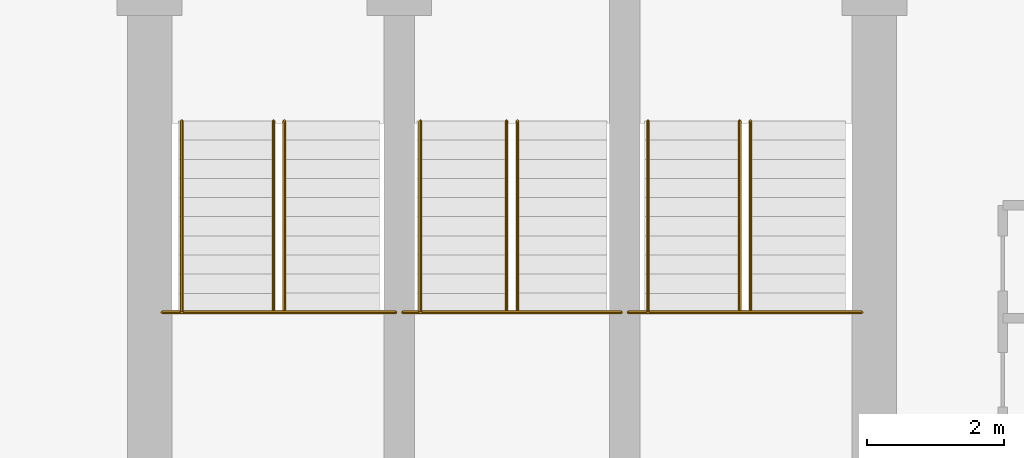
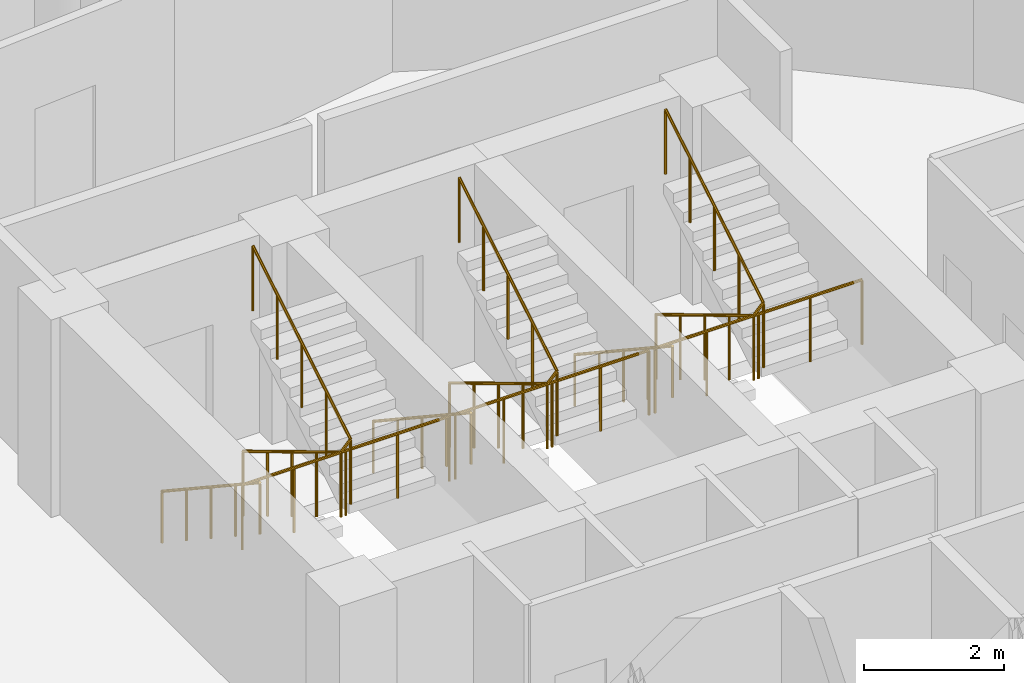
# One storey, part 26 of 26: 9 railings.
"""IFC4 building model written with IfcOpenShell, lengths in metres."""

from ifc_helpers import new_model, si_unit, direction, frame, origin, place, context, subcontext, project, spatial, polyline, outline, extrude, material, type_object, element, save


model = new_model("IFC4")

# Units and contexts
model_context = context("Model", 3, precision=1e-05, world=origin(), true_north=direction((0.0, 1.0)))
body_context = subcontext(model_context, "Body", "Model", "MODEL_VIEW")
ifc_project = project(units=[si_unit("LENGTHUNIT", "METRE"), si_unit("AREAUNIT", "SQUARE_METRE"), si_unit("VOLUMEUNIT", "CUBIC_METRE"), si_unit("PLANEANGLEUNIT", "RADIAN"), si_unit("MASSUNIT", "GRAM", prefix="KILO")], contexts=[model_context])

# Site, building, storey
site_placement = place(None, origin())
site = spatial("IfcSite", under=ifc_project, at=site_placement, CompositionType="ELEMENT")
building_placement = place(site_placement, origin())
building = spatial("IfcBuilding", under=site, at=building_placement, Name="Nuhasar Tower", CompositionType="ELEMENT")
storey_placement = place(building_placement, frame((0.0, 0.0, 166.35009765625)))
storey = spatial("IfcBuildingStorey", under=building, at=storey_placement, Name="L40", CompositionType="ELEMENT", Elevation=166.35009765625)

# Railings
ifc_material_1 = material(Name="Steel S355", Category="steel")
railing_type_1 = type_object("IfcRailingType", Name="RLG-STAIR-GUARD-1150", PredefinedType="GUARDRAIL", material=ifc_material_1)
railing_1_placement = place(storey_placement, frame((33.8798828125, 32.485107421875, 1.849853515625)))
element("IfcRailing", 1, at=railing_1_placement, inside=storey, type_object=railing_type_1, Name="L40 Stair ST-01 Guardrail LND", PredefinedType="GUARDRAIL", context=body_context, shape_type="SweptSolid", body=[
    extrude(outline(polyline([(0.024169921875, 0.0), (0.01708984375, 0.01708984375), (0.0, 0.024169921875), (-0.01708984375, 0.01708984375), (-0.024169921875, 0.0), (-0.01708984375, -0.01708984375), (0.0, -0.024169921875), (0.01708984375, -0.01708984375), (0.024169921875, 0.0)])), frame((0.0, 0.0, 1.1259765625), z_axis=(1.0, 0.0, 0.0), x_axis=(0.0, 1.0, 0.0)), (0.0, 0.0, 1.0), 3.420166015625),
    extrude(outline(polyline([(0.02099609375, 0.0), (0.014892578125, 0.014892578125), (0.0, 0.02099609375), (-0.014892578125, 0.014892578125), (-0.02099609375, 0.0), (-0.014892578125, -0.014892578125), (0.0, -0.02099609375), (0.014892578125, -0.014892578125), (0.02099609375, 0.0)])), origin(), (0.0, 0.0, 1.0), 1.101806640625),
    extrude(outline(polyline([(0.02099609375, 0.0), (0.014892578125, 0.014892578125), (0.0, 0.02099609375), (-0.014892578125, 0.014892578125), (-0.02099609375, 0.0), (-0.014892578125, -0.014892578125), (0.0, -0.02099609375), (0.014892578125, -0.014892578125), (0.02099609375, 0.0)])), frame((0.85498046875, 0.0, 0.0)), (0.0, 0.0, 1.0), 1.101806640625),
    extrude(outline(polyline([(0.02099609375, 0.0), (0.014892578125, 0.014892578125), (0.0, 0.02099609375), (-0.014892578125, 0.014892578125), (-0.02099609375, 0.0), (-0.014892578125, -0.014892578125), (0.0, -0.02099609375), (0.014892578125, -0.014892578125), (0.02099609375, 0.0)])), frame((1.7099609375, 0.0, 0.0)), (0.0, 0.0, 1.0), 1.101806640625),
    extrude(outline(polyline([(0.02099609375, 0.0), (0.014892578125, 0.014892578125), (0.0, 0.02099609375), (-0.014892578125, 0.014892578125), (-0.02099609375, 0.0), (-0.014892578125, -0.014892578125), (0.0, -0.02099609375), (0.014892578125, -0.014892578125), (0.02099609375, 0.0)])), frame((2.565185546875, 0.0, 0.0)), (0.0, 0.0, 1.0), 1.101806640625),
    extrude(outline(polyline([(0.02099609375, 0.0), (0.014892578125, 0.014892578125), (0.0, 0.02099609375), (-0.014892578125, 0.014892578125), (-0.02099609375, 0.0), (-0.014892578125, -0.014892578125), (0.0, -0.02099609375), (0.014892578125, -0.014892578125), (0.02099609375, 0.0)])), frame((3.420166015625, 0.0, 0.0)), (0.0, 0.0, 1.0), 1.101806640625),
])
railing_2_placement = place(storey_placement, frame((35.510009765625, 35.284912109375, 0.16796875)))
element("IfcRailing", 2, at=railing_2_placement, inside=storey, type_object=railing_type_1, Name="L40 Stair ST-01 Guardrail SLT", PredefinedType="GUARDRAIL", context=body_context, shape_type="SweptSolid", body=[
    extrude(outline(polyline([(0.024169921875, 0.0), (0.01708984375, 0.01708984375), (0.0, 0.024169921875), (-0.01708984375, 0.01708984375), (-0.024169921875, 0.0), (-0.01708984375, -0.01708984375), (0.0, -0.024169921875), (0.01708984375, -0.01708984375), (0.024169921875, 0.0)])), frame((0.0, 0.0, 1.1259765625), z_axis=(0.0, -0.857222391501, 0.514946377315), x_axis=(1.0, 0.0, 0.0)), (0.0, 0.0, 1.0), 3.26611328125),
    extrude(outline(polyline([(0.024169921875, 0.0), (0.01708984375, 0.01708984375), (0.0, 0.024169921875), (-0.01708984375, 0.01708984375), (-0.024169921875, 0.0), (-0.01708984375, -0.01708984375), (0.0, -0.024169921875), (0.01708984375, -0.01708984375), (0.024169921875, 0.0)])), frame((0.0, -2.7998046875, 2.8076171875), z_axis=(0.689523729023, 0.0, 0.72426309247), x_axis=(0.0, 1.0, 0.0)), (0.0, 0.0, 1.0), 0.23193359375),
    extrude(outline(polyline([(0.024169921875, 0.0), (0.01708984375, 0.01708984375), (0.0, 0.024169921875), (-0.01708984375, 0.01708984375), (-0.024169921875, 0.0), (-0.01708984375, -0.01708984375), (0.0, -0.024169921875), (0.01708984375, -0.01708984375), (0.024169921875, 0.0)])), frame((0.159912109375, -2.7998046875, 2.9755859375), z_axis=(0.0, 0.857189395008, 0.515001302023), x_axis=(-1.0, 0.0, 0.0)), (0.0, 0.0, 1.0), 3.266357421875),
    extrude(outline(polyline([(0.02099609375, 0.0), (0.014892578125, 0.014892578125), (0.0, 0.02099609375), (-0.014892578125, 0.014892578125), (-0.02099609375, 0.0), (-0.014892578125, -0.014892578125), (0.0, -0.02099609375), (0.014892578125, -0.014892578125), (0.02099609375, 0.0)])), origin(), (0.0, 0.0, 1.0), 1.101806640625),
    extrude(outline(polyline([(0.02099609375, 0.0), (0.014892578125, 0.014892578125), (0.0, 0.02099609375), (-0.014892578125, 0.014892578125), (-0.02099609375, 0.0), (-0.014892578125, -0.014892578125), (0.0, -0.02099609375), (0.014892578125, -0.014892578125), (0.02099609375, 0.0)])), frame((0.0, -0.699951171875, 0.42041015625)), (0.0, 0.0, 1.0), 1.101806640625),
    extrude(outline(polyline([(0.02099609375, 0.0), (0.014892578125, 0.014892578125), (0.0, 0.02099609375), (-0.014892578125, 0.014892578125), (-0.02099609375, 0.0), (-0.014892578125, -0.014892578125), (0.0, -0.02099609375), (0.014892578125, -0.014892578125), (0.02099609375, 0.0)])), frame((0.0, -1.39990234375, 0.8408203125)), (0.0, 0.0, 1.0), 1.101806640625),
    extrude(outline(polyline([(0.02099609375, 0.0), (0.014892578125, 0.014892578125), (0.0, 0.02099609375), (-0.014892578125, 0.014892578125), (-0.02099609375, 0.0), (-0.014892578125, -0.014892578125), (0.0, -0.02099609375), (0.014892578125, -0.014892578125), (0.02099609375, 0.0)])), frame((0.0, -2.099853515625, 1.261474609375)), (0.0, 0.0, 1.0), 1.101806640625),
    extrude(outline(polyline([(0.02099609375, 0.0), (0.014892578125, 0.014892578125), (0.0, 0.02099609375), (-0.014892578125, 0.014892578125), (-0.02099609375, 0.0), (-0.014892578125, -0.014892578125), (0.0, -0.02099609375), (0.014892578125, -0.014892578125), (0.02099609375, 0.0)])), frame((0.0, -2.7998046875, 1.681884765625)), (0.0, 0.0, 1.0), 1.101806640625),
    extrude(outline(polyline([(0.02099609375, 0.0), (0.014892578125, 0.014892578125), (0.0, 0.02099609375), (-0.014892578125, 0.014892578125), (-0.02099609375, 0.0), (-0.014892578125, -0.014892578125), (0.0, -0.02099609375), (0.014892578125, -0.014892578125), (0.02099609375, 0.0)])), frame((0.159912109375, -2.7998046875, 1.849853515625)), (0.0, 0.0, 1.0), 1.101806640625),
    extrude(outline(polyline([(0.02099609375, 0.0), (0.014892578125, 0.014892578125), (0.0, 0.02099609375), (-0.014892578125, 0.014892578125), (-0.02099609375, 0.0), (-0.014892578125, -0.014892578125), (0.0, -0.02099609375), (0.014892578125, -0.014892578125), (0.02099609375, 0.0)])), frame((0.159912109375, -2.099853515625, 2.2705078125)), (0.0, 0.0, 1.0), 1.101806640625),
    extrude(outline(polyline([(0.02099609375, 0.0), (0.014892578125, 0.014892578125), (0.0, 0.02099609375), (-0.014892578125, 0.014892578125), (-0.02099609375, 0.0), (-0.014892578125, -0.014892578125), (0.0, -0.02099609375), (0.014892578125, -0.014892578125), (0.02099609375, 0.0)])), frame((0.159912109375, -1.39990234375, 2.69091796875)), (0.0, 0.0, 1.0), 1.101806640625),
    extrude(outline(polyline([(0.02099609375, 0.0), (0.014892578125, 0.014892578125), (0.0, 0.02099609375), (-0.014892578125, 0.014892578125), (-0.02099609375, 0.0), (-0.014892578125, -0.014892578125), (0.0, -0.02099609375), (0.014892578125, -0.014892578125), (0.02099609375, 0.0)])), frame((0.159912109375, -0.699951171875, 3.111328125)), (0.0, 0.0, 1.0), 1.101806640625),
    extrude(outline(polyline([(0.02099609375, 0.0), (0.014892578125, 0.014892578125), (0.0, 0.02099609375), (-0.014892578125, 0.014892578125), (-0.02099609375, 0.0), (-0.014892578125, -0.014892578125), (0.0, -0.02099609375), (0.014892578125, -0.014892578125), (0.02099609375, 0.0)])), frame((0.159912109375, 0.0, 3.531982421875)), (0.0, 0.0, 1.0), 1.101806640625),
])
railing_3_placement = place(storey_placement, frame((37.39990234375, 32.485107421875, 1.849853515625)))
element("IfcRailing", 3, at=railing_3_placement, inside=storey, type_object=railing_type_1, Name="L40 Stair ST-03 Guardrail LND", PredefinedType="GUARDRAIL", context=body_context, shape_type="SweptSolid", body=[
    extrude(outline(polyline([(0.024169921875, 0.0), (0.01708984375, 0.01708984375), (0.0, 0.024169921875), (-0.01708984375, 0.01708984375), (-0.024169921875, 0.0), (-0.01708984375, -0.01708984375), (0.0, -0.024169921875), (0.01708984375, -0.01708984375), (0.024169921875, 0.0)])), frame((0.0, 0.0, 1.1259765625), z_axis=(1.0, 0.0, 0.0), x_axis=(0.0, 1.0, 0.0)), (0.0, 0.0, 1.0), 3.2001953125),
    extrude(outline(polyline([(0.02099609375, 0.0), (0.014892578125, 0.014892578125), (0.0, 0.02099609375), (-0.014892578125, 0.014892578125), (-0.02099609375, 0.0), (-0.014892578125, -0.014892578125), (0.0, -0.02099609375), (0.014892578125, -0.014892578125), (0.02099609375, 0.0)])), origin(), (0.0, 0.0, 1.0), 1.101806640625),
    extrude(outline(polyline([(0.02099609375, 0.0), (0.014892578125, 0.014892578125), (0.0, 0.02099609375), (-0.014892578125, 0.014892578125), (-0.02099609375, 0.0), (-0.014892578125, -0.014892578125), (0.0, -0.02099609375), (0.014892578125, -0.014892578125), (0.02099609375, 0.0)])), frame((0.800048828125, 0.0, 0.0)), (0.0, 0.0, 1.0), 1.101806640625),
    extrude(outline(polyline([(0.02099609375, 0.0), (0.014892578125, 0.014892578125), (0.0, 0.02099609375), (-0.014892578125, 0.014892578125), (-0.02099609375, 0.0), (-0.014892578125, -0.014892578125), (0.0, -0.02099609375), (0.014892578125, -0.014892578125), (0.02099609375, 0.0)])), frame((1.60009765625, 0.0, 0.0)), (0.0, 0.0, 1.0), 1.101806640625),
    extrude(outline(polyline([(0.02099609375, 0.0), (0.014892578125, 0.014892578125), (0.0, 0.02099609375), (-0.014892578125, 0.014892578125), (-0.02099609375, 0.0), (-0.014892578125, -0.014892578125), (0.0, -0.02099609375), (0.014892578125, -0.014892578125), (0.02099609375, 0.0)])), frame((2.400146484375, 0.0, 0.0)), (0.0, 0.0, 1.0), 1.101806640625),
    extrude(outline(polyline([(0.02099609375, 0.0), (0.014892578125, 0.014892578125), (0.0, 0.02099609375), (-0.014892578125, 0.014892578125), (-0.02099609375, 0.0), (-0.014892578125, -0.014892578125), (0.0, -0.02099609375), (0.014892578125, -0.014892578125), (0.02099609375, 0.0)])), frame((3.2001953125, 0.0, 0.0)), (0.0, 0.0, 1.0), 1.101806640625),
])
railing_4_placement = place(storey_placement, frame((38.919921875, 35.284912109375, 0.16796875)))
element("IfcRailing", 4, at=railing_4_placement, inside=storey, type_object=railing_type_1, Name="L40 Stair ST-03 Guardrail SLT", PredefinedType="GUARDRAIL", context=body_context, shape_type="SweptSolid", body=[
    extrude(outline(polyline([(0.024169921875, 0.0), (0.01708984375, 0.01708984375), (0.0, 0.024169921875), (-0.01708984375, 0.01708984375), (-0.024169921875, 0.0), (-0.01708984375, -0.01708984375), (0.0, -0.024169921875), (0.01708984375, -0.01708984375), (0.024169921875, 0.0)])), frame((0.0, 0.0, 1.1259765625), z_axis=(0.0, -0.857222391501, 0.514946377315), x_axis=(1.0, 0.0, 0.0)), (0.0, 0.0, 1.0), 3.26611328125),
    extrude(outline(polyline([(0.024169921875, 0.0), (0.01708984375, 0.01708984375), (0.0, 0.024169921875), (-0.01708984375, 0.01708984375), (-0.024169921875, 0.0), (-0.01708984375, -0.01708984375), (0.0, -0.024169921875), (0.01708984375, -0.01708984375), (0.024169921875, 0.0)])), frame((0.0, -2.7998046875, 2.8076171875), z_axis=(0.690075333573, 0.0, 0.723737544967), x_axis=(0.0, 1.0, 0.0)), (0.0, 0.0, 1.0), 0.232177734375),
    extrude(outline(polyline([(0.024169921875, 0.0), (0.01708984375, 0.01708984375), (0.0, 0.024169921875), (-0.01708984375, 0.01708984375), (-0.024169921875, 0.0), (-0.01708984375, -0.01708984375), (0.0, -0.024169921875), (0.01708984375, -0.01708984375), (0.024169921875, 0.0)])), frame((0.16015625, -2.7998046875, 2.9755859375), z_axis=(0.0, 0.857189395008, 0.515001302023), x_axis=(-1.0, 0.0, 0.0)), (0.0, 0.0, 1.0), 3.266357421875),
    extrude(outline(polyline([(0.02099609375, 0.0), (0.014892578125, 0.014892578125), (0.0, 0.02099609375), (-0.014892578125, 0.014892578125), (-0.02099609375, 0.0), (-0.014892578125, -0.014892578125), (0.0, -0.02099609375), (0.014892578125, -0.014892578125), (0.02099609375, 0.0)])), origin(), (0.0, 0.0, 1.0), 1.101806640625),
    extrude(outline(polyline([(0.02099609375, 0.0), (0.014892578125, 0.014892578125), (0.0, 0.02099609375), (-0.014892578125, 0.014892578125), (-0.02099609375, 0.0), (-0.014892578125, -0.014892578125), (0.0, -0.02099609375), (0.014892578125, -0.014892578125), (0.02099609375, 0.0)])), frame((0.0, -0.699951171875, 0.42041015625)), (0.0, 0.0, 1.0), 1.101806640625),
    extrude(outline(polyline([(0.02099609375, 0.0), (0.014892578125, 0.014892578125), (0.0, 0.02099609375), (-0.014892578125, 0.014892578125), (-0.02099609375, 0.0), (-0.014892578125, -0.014892578125), (0.0, -0.02099609375), (0.014892578125, -0.014892578125), (0.02099609375, 0.0)])), frame((0.0, -1.39990234375, 0.8408203125)), (0.0, 0.0, 1.0), 1.101806640625),
    extrude(outline(polyline([(0.02099609375, 0.0), (0.014892578125, 0.014892578125), (0.0, 0.02099609375), (-0.014892578125, 0.014892578125), (-0.02099609375, 0.0), (-0.014892578125, -0.014892578125), (0.0, -0.02099609375), (0.014892578125, -0.014892578125), (0.02099609375, 0.0)])), frame((0.0, -2.099853515625, 1.261474609375)), (0.0, 0.0, 1.0), 1.101806640625),
    extrude(outline(polyline([(0.02099609375, 0.0), (0.014892578125, 0.014892578125), (0.0, 0.02099609375), (-0.014892578125, 0.014892578125), (-0.02099609375, 0.0), (-0.014892578125, -0.014892578125), (0.0, -0.02099609375), (0.014892578125, -0.014892578125), (0.02099609375, 0.0)])), frame((0.0, -2.7998046875, 1.681884765625)), (0.0, 0.0, 1.0), 1.101806640625),
    extrude(outline(polyline([(0.02099609375, 0.0), (0.014892578125, 0.014892578125), (0.0, 0.02099609375), (-0.014892578125, 0.014892578125), (-0.02099609375, 0.0), (-0.014892578125, -0.014892578125), (0.0, -0.02099609375), (0.014892578125, -0.014892578125), (0.02099609375, 0.0)])), frame((0.16015625, -2.7998046875, 1.849853515625)), (0.0, 0.0, 1.0), 1.101806640625),
    extrude(outline(polyline([(0.02099609375, 0.0), (0.014892578125, 0.014892578125), (0.0, 0.02099609375), (-0.014892578125, 0.014892578125), (-0.02099609375, 0.0), (-0.014892578125, -0.014892578125), (0.0, -0.02099609375), (0.014892578125, -0.014892578125), (0.02099609375, 0.0)])), frame((0.16015625, -2.099853515625, 2.2705078125)), (0.0, 0.0, 1.0), 1.101806640625),
    extrude(outline(polyline([(0.02099609375, 0.0), (0.014892578125, 0.014892578125), (0.0, 0.02099609375), (-0.014892578125, 0.014892578125), (-0.02099609375, 0.0), (-0.014892578125, -0.014892578125), (0.0, -0.02099609375), (0.014892578125, -0.014892578125), (0.02099609375, 0.0)])), frame((0.16015625, -1.39990234375, 2.69091796875)), (0.0, 0.0, 1.0), 1.101806640625),
    extrude(outline(polyline([(0.02099609375, 0.0), (0.014892578125, 0.014892578125), (0.0, 0.02099609375), (-0.014892578125, 0.014892578125), (-0.02099609375, 0.0), (-0.014892578125, -0.014892578125), (0.0, -0.02099609375), (0.014892578125, -0.014892578125), (0.02099609375, 0.0)])), frame((0.16015625, -0.699951171875, 3.111328125)), (0.0, 0.0, 1.0), 1.101806640625),
    extrude(outline(polyline([(0.02099609375, 0.0), (0.014892578125, 0.014892578125), (0.0, 0.02099609375), (-0.014892578125, 0.014892578125), (-0.02099609375, 0.0), (-0.014892578125, -0.014892578125), (0.0, -0.02099609375), (0.014892578125, -0.014892578125), (0.02099609375, 0.0)])), frame((0.16015625, 0.0, 3.531982421875)), (0.0, 0.0, 1.0), 1.101806640625),
])
railing_5_placement = place(storey_placement, frame((40.699951171875, 32.485107421875, 1.849853515625)))
element("IfcRailing", 5, at=railing_5_placement, inside=storey, type_object=railing_type_1, Name="L40 Stair ST-02 Guardrail LND", PredefinedType="GUARDRAIL", context=body_context, shape_type="SweptSolid", body=[
    extrude(outline(polyline([(0.024169921875, 0.0), (0.01708984375, 0.01708984375), (0.0, 0.024169921875), (-0.01708984375, 0.01708984375), (-0.024169921875, 0.0), (-0.01708984375, -0.01708984375), (0.0, -0.024169921875), (0.01708984375, -0.01708984375), (0.024169921875, 0.0)])), frame((0.0, 0.0, 1.1259765625), z_axis=(1.0, 0.0, 0.0), x_axis=(0.0, 1.0, 0.0)), (0.0, 0.0, 1.0), 3.420166015625),
    extrude(outline(polyline([(0.02099609375, 0.0), (0.014892578125, 0.014892578125), (0.0, 0.02099609375), (-0.014892578125, 0.014892578125), (-0.02099609375, 0.0), (-0.014892578125, -0.014892578125), (0.0, -0.02099609375), (0.014892578125, -0.014892578125), (0.02099609375, 0.0)])), origin(), (0.0, 0.0, 1.0), 1.101806640625),
    extrude(outline(polyline([(0.02099609375, 0.0), (0.014892578125, 0.014892578125), (0.0, 0.02099609375), (-0.014892578125, 0.014892578125), (-0.02099609375, 0.0), (-0.014892578125, -0.014892578125), (0.0, -0.02099609375), (0.014892578125, -0.014892578125), (0.02099609375, 0.0)])), frame((0.85498046875, 0.0, 0.0)), (0.0, 0.0, 1.0), 1.101806640625),
    extrude(outline(polyline([(0.02099609375, 0.0), (0.014892578125, 0.014892578125), (0.0, 0.02099609375), (-0.014892578125, 0.014892578125), (-0.02099609375, 0.0), (-0.014892578125, -0.014892578125), (0.0, -0.02099609375), (0.014892578125, -0.014892578125), (0.02099609375, 0.0)])), frame((1.7099609375, 0.0, 0.0)), (0.0, 0.0, 1.0), 1.101806640625),
    extrude(outline(polyline([(0.02099609375, 0.0), (0.014892578125, 0.014892578125), (0.0, 0.02099609375), (-0.014892578125, 0.014892578125), (-0.02099609375, 0.0), (-0.014892578125, -0.014892578125), (0.0, -0.02099609375), (0.014892578125, -0.014892578125), (0.02099609375, 0.0)])), frame((2.565185546875, 0.0, 0.0)), (0.0, 0.0, 1.0), 1.101806640625),
    extrude(outline(polyline([(0.02099609375, 0.0), (0.014892578125, 0.014892578125), (0.0, 0.02099609375), (-0.014892578125, 0.014892578125), (-0.02099609375, 0.0), (-0.014892578125, -0.014892578125), (0.0, -0.02099609375), (0.014892578125, -0.014892578125), (0.02099609375, 0.0)])), frame((3.420166015625, 0.0, 0.0)), (0.0, 0.0, 1.0), 1.101806640625),
])
railing_6_placement = place(storey_placement, frame((42.330078125, 35.284912109375, 0.16796875)))
element("IfcRailing", 6, at=railing_6_placement, inside=storey, type_object=railing_type_1, Name="L40 Stair ST-02 Guardrail SLT", PredefinedType="GUARDRAIL", context=body_context, shape_type="SweptSolid", body=[
    extrude(outline(polyline([(0.024169921875, 0.0), (0.01708984375, 0.01708984375), (0.0, 0.024169921875), (-0.01708984375, 0.01708984375), (-0.024169921875, 0.0), (-0.01708984375, -0.01708984375), (0.0, -0.024169921875), (0.01708984375, -0.01708984375), (0.024169921875, 0.0)])), frame((0.0, 0.0, 1.1259765625), z_axis=(0.0, -0.857222391501, 0.514946377315), x_axis=(1.0, 0.0, 0.0)), (0.0, 0.0, 1.0), 3.26611328125),
    extrude(outline(polyline([(0.024169921875, 0.0), (0.01708984375, 0.01708984375), (0.0, 0.024169921875), (-0.01708984375, 0.01708984375), (-0.024169921875, 0.0), (-0.01708984375, -0.01708984375), (0.0, -0.024169921875), (0.01708984375, -0.01708984375), (0.024169921875, 0.0)])), frame((0.0, -2.7998046875, 2.8076171875), z_axis=(0.689523729023, 0.0, 0.72426309247), x_axis=(0.0, 1.0, 0.0)), (0.0, 0.0, 1.0), 0.23193359375),
    extrude(outline(polyline([(0.024169921875, 0.0), (0.01708984375, 0.01708984375), (0.0, 0.024169921875), (-0.01708984375, 0.01708984375), (-0.024169921875, 0.0), (-0.01708984375, -0.01708984375), (0.0, -0.024169921875), (0.01708984375, -0.01708984375), (0.024169921875, 0.0)])), frame((0.159912109375, -2.7998046875, 2.9755859375), z_axis=(0.0, 0.857189395008, 0.515001302023), x_axis=(-1.0, 0.0, 0.0)), (0.0, 0.0, 1.0), 3.266357421875),
    extrude(outline(polyline([(0.02099609375, 0.0), (0.014892578125, 0.014892578125), (0.0, 0.02099609375), (-0.014892578125, 0.014892578125), (-0.02099609375, 0.0), (-0.014892578125, -0.014892578125), (0.0, -0.02099609375), (0.014892578125, -0.014892578125), (0.02099609375, 0.0)])), origin(), (0.0, 0.0, 1.0), 1.101806640625),
    extrude(outline(polyline([(0.02099609375, 0.0), (0.014892578125, 0.014892578125), (0.0, 0.02099609375), (-0.014892578125, 0.014892578125), (-0.02099609375, 0.0), (-0.014892578125, -0.014892578125), (0.0, -0.02099609375), (0.014892578125, -0.014892578125), (0.02099609375, 0.0)])), frame((0.0, -0.699951171875, 0.42041015625)), (0.0, 0.0, 1.0), 1.101806640625),
    extrude(outline(polyline([(0.02099609375, 0.0), (0.014892578125, 0.014892578125), (0.0, 0.02099609375), (-0.014892578125, 0.014892578125), (-0.02099609375, 0.0), (-0.014892578125, -0.014892578125), (0.0, -0.02099609375), (0.014892578125, -0.014892578125), (0.02099609375, 0.0)])), frame((0.0, -1.39990234375, 0.8408203125)), (0.0, 0.0, 1.0), 1.101806640625),
    extrude(outline(polyline([(0.02099609375, 0.0), (0.014892578125, 0.014892578125), (0.0, 0.02099609375), (-0.014892578125, 0.014892578125), (-0.02099609375, 0.0), (-0.014892578125, -0.014892578125), (0.0, -0.02099609375), (0.014892578125, -0.014892578125), (0.02099609375, 0.0)])), frame((0.0, -2.099853515625, 1.261474609375)), (0.0, 0.0, 1.0), 1.101806640625),
    extrude(outline(polyline([(0.02099609375, 0.0), (0.014892578125, 0.014892578125), (0.0, 0.02099609375), (-0.014892578125, 0.014892578125), (-0.02099609375, 0.0), (-0.014892578125, -0.014892578125), (0.0, -0.02099609375), (0.014892578125, -0.014892578125), (0.02099609375, 0.0)])), frame((0.0, -2.7998046875, 1.681884765625)), (0.0, 0.0, 1.0), 1.101806640625),
    extrude(outline(polyline([(0.02099609375, 0.0), (0.014892578125, 0.014892578125), (0.0, 0.02099609375), (-0.014892578125, 0.014892578125), (-0.02099609375, 0.0), (-0.014892578125, -0.014892578125), (0.0, -0.02099609375), (0.014892578125, -0.014892578125), (0.02099609375, 0.0)])), frame((0.159912109375, -2.7998046875, 1.849853515625)), (0.0, 0.0, 1.0), 1.101806640625),
    extrude(outline(polyline([(0.02099609375, 0.0), (0.014892578125, 0.014892578125), (0.0, 0.02099609375), (-0.014892578125, 0.014892578125), (-0.02099609375, 0.0), (-0.014892578125, -0.014892578125), (0.0, -0.02099609375), (0.014892578125, -0.014892578125), (0.02099609375, 0.0)])), frame((0.159912109375, -2.099853515625, 2.2705078125)), (0.0, 0.0, 1.0), 1.101806640625),
    extrude(outline(polyline([(0.02099609375, 0.0), (0.014892578125, 0.014892578125), (0.0, 0.02099609375), (-0.014892578125, 0.014892578125), (-0.02099609375, 0.0), (-0.014892578125, -0.014892578125), (0.0, -0.02099609375), (0.014892578125, -0.014892578125), (0.02099609375, 0.0)])), frame((0.159912109375, -1.39990234375, 2.69091796875)), (0.0, 0.0, 1.0), 1.101806640625),
    extrude(outline(polyline([(0.02099609375, 0.0), (0.014892578125, 0.014892578125), (0.0, 0.02099609375), (-0.014892578125, 0.014892578125), (-0.02099609375, 0.0), (-0.014892578125, -0.014892578125), (0.0, -0.02099609375), (0.014892578125, -0.014892578125), (0.02099609375, 0.0)])), frame((0.159912109375, -0.699951171875, 3.111328125)), (0.0, 0.0, 1.0), 1.101806640625),
    extrude(outline(polyline([(0.02099609375, 0.0), (0.014892578125, 0.014892578125), (0.0, 0.02099609375), (-0.014892578125, 0.014892578125), (-0.02099609375, 0.0), (-0.014892578125, -0.014892578125), (0.0, -0.02099609375), (0.014892578125, -0.014892578125), (0.02099609375, 0.0)])), frame((0.159912109375, 0.0, 3.531982421875)), (0.0, 0.0, 1.0), 1.101806640625),
])
ifc_material_2 = material(Name="Stainless Steel 316L", Category="steel")
railing_type_2 = type_object("IfcRailingType", Name="RLG-STAIR-HAND-920", PredefinedType="HANDRAIL", material=ifc_material_2)
railing_7_placement = place(storey_placement, frame((34.169921875, 35.284912109375, 0.16796875)))
element("IfcRailing", 7, at=railing_7_placement, inside=storey, type_object=railing_type_2, Name="L40 Stair ST-01 Handrail HND1", PredefinedType="HANDRAIL", context=body_context, shape_type="SweptSolid", body=[
    extrude(outline(polyline([(0.024169921875, 0.0), (0.01708984375, 0.01708984375), (0.0, 0.024169921875), (-0.01708984375, 0.01708984375), (-0.024169921875, 0.0), (-0.01708984375, -0.01708984375), (0.0, -0.024169921875), (0.01708984375, -0.01708984375), (0.024169921875, 0.0)])), frame((0.0, 0.0, 0.89599609375), z_axis=(0.0, -0.834337710781, 0.551253647941), x_axis=(1.0, 0.0, 0.0)), (0.0, 0.0, 1.0), 3.355712890625),
    extrude(outline(polyline([(0.02099609375, 0.0), (0.014892578125, 0.014892578125), (0.0, 0.02099609375), (-0.014892578125, 0.014892578125), (-0.02099609375, 0.0), (-0.014892578125, -0.014892578125), (0.0, -0.02099609375), (0.014892578125, -0.014892578125), (0.02099609375, 0.0)])), origin(), (0.0, 0.0, 1.0), 0.871826171875),
    extrude(outline(polyline([(0.02099609375, 0.0), (0.014892578125, 0.014892578125), (0.0, 0.02099609375), (-0.014892578125, 0.014892578125), (-0.02099609375, 0.0), (-0.014892578125, -0.014892578125), (0.0, -0.02099609375), (0.014892578125, -0.014892578125), (0.02099609375, 0.0)])), frame((0.0, -0.699951171875, 0.46240234375)), (0.0, 0.0, 1.0), 0.871826171875),
    extrude(outline(polyline([(0.02099609375, 0.0), (0.014892578125, 0.014892578125), (0.0, 0.02099609375), (-0.014892578125, 0.014892578125), (-0.02099609375, 0.0), (-0.014892578125, -0.014892578125), (0.0, -0.02099609375), (0.014892578125, -0.014892578125), (0.02099609375, 0.0)])), frame((0.0, -1.39990234375, 0.9248046875)), (0.0, 0.0, 1.0), 0.871826171875),
    extrude(outline(polyline([(0.02099609375, 0.0), (0.014892578125, 0.014892578125), (0.0, 0.02099609375), (-0.014892578125, 0.014892578125), (-0.02099609375, 0.0), (-0.014892578125, -0.014892578125), (0.0, -0.02099609375), (0.014892578125, -0.014892578125), (0.02099609375, 0.0)])), frame((0.0, -2.099853515625, 1.387451171875)), (0.0, 0.0, 1.0), 0.871826171875),
    extrude(outline(polyline([(0.02099609375, 0.0), (0.014892578125, 0.014892578125), (0.0, 0.02099609375), (-0.014892578125, 0.014892578125), (-0.02099609375, 0.0), (-0.014892578125, -0.014892578125), (0.0, -0.02099609375), (0.014892578125, -0.014892578125), (0.02099609375, 0.0)])), frame((0.0, -2.7998046875, 1.849853515625)), (0.0, 0.0, 1.0), 0.871826171875),
])
railing_8_placement = place(storey_placement, frame((37.659912109375, 35.284912109375, 0.16796875)))
element("IfcRailing", 8, at=railing_8_placement, inside=storey, type_object=railing_type_2, Name="L40 Stair ST-03 Handrail HND1", PredefinedType="HANDRAIL", context=body_context, shape_type="SweptSolid", body=[
    extrude(outline(polyline([(0.024169921875, 0.0), (0.01708984375, 0.01708984375), (0.0, 0.024169921875), (-0.01708984375, 0.01708984375), (-0.024169921875, 0.0), (-0.01708984375, -0.01708984375), (0.0, -0.024169921875), (0.01708984375, -0.01708984375), (0.024169921875, 0.0)])), frame((0.0, 0.0, 0.89599609375), z_axis=(0.0, -0.834337710781, 0.551253647941), x_axis=(1.0, 0.0, 0.0)), (0.0, 0.0, 1.0), 3.355712890625),
    extrude(outline(polyline([(0.02099609375, 0.0), (0.014892578125, 0.014892578125), (0.0, 0.02099609375), (-0.014892578125, 0.014892578125), (-0.02099609375, 0.0), (-0.014892578125, -0.014892578125), (0.0, -0.02099609375), (0.014892578125, -0.014892578125), (0.02099609375, 0.0)])), origin(), (0.0, 0.0, 1.0), 0.871826171875),
    extrude(outline(polyline([(0.02099609375, 0.0), (0.014892578125, 0.014892578125), (0.0, 0.02099609375), (-0.014892578125, 0.014892578125), (-0.02099609375, 0.0), (-0.014892578125, -0.014892578125), (0.0, -0.02099609375), (0.014892578125, -0.014892578125), (0.02099609375, 0.0)])), frame((0.0, -0.699951171875, 0.46240234375)), (0.0, 0.0, 1.0), 0.871826171875),
    extrude(outline(polyline([(0.02099609375, 0.0), (0.014892578125, 0.014892578125), (0.0, 0.02099609375), (-0.014892578125, 0.014892578125), (-0.02099609375, 0.0), (-0.014892578125, -0.014892578125), (0.0, -0.02099609375), (0.014892578125, -0.014892578125), (0.02099609375, 0.0)])), frame((0.0, -1.39990234375, 0.9248046875)), (0.0, 0.0, 1.0), 0.871826171875),
    extrude(outline(polyline([(0.02099609375, 0.0), (0.014892578125, 0.014892578125), (0.0, 0.02099609375), (-0.014892578125, 0.014892578125), (-0.02099609375, 0.0), (-0.014892578125, -0.014892578125), (0.0, -0.02099609375), (0.014892578125, -0.014892578125), (0.02099609375, 0.0)])), frame((0.0, -2.099853515625, 1.387451171875)), (0.0, 0.0, 1.0), 0.871826171875),
    extrude(outline(polyline([(0.02099609375, 0.0), (0.014892578125, 0.014892578125), (0.0, 0.02099609375), (-0.014892578125, 0.014892578125), (-0.02099609375, 0.0), (-0.014892578125, -0.014892578125), (0.0, -0.02099609375), (0.014892578125, -0.014892578125), (0.02099609375, 0.0)])), frame((0.0, -2.7998046875, 1.849853515625)), (0.0, 0.0, 1.0), 0.871826171875),
])
railing_9_placement = place(storey_placement, frame((40.989990234375, 35.284912109375, 0.16796875)))
element("IfcRailing", 9, at=railing_9_placement, inside=storey, type_object=railing_type_2, Name="L40 Stair ST-02 Handrail HND1", PredefinedType="HANDRAIL", context=body_context, shape_type="SweptSolid", body=[
    extrude(outline(polyline([(0.024169921875, 0.0), (0.01708984375, 0.01708984375), (0.0, 0.024169921875), (-0.01708984375, 0.01708984375), (-0.024169921875, 0.0), (-0.01708984375, -0.01708984375), (0.0, -0.024169921875), (0.01708984375, -0.01708984375), (0.024169921875, 0.0)])), frame((0.0, 0.0, 0.89599609375), z_axis=(0.0, -0.834337710781, 0.551253647941), x_axis=(1.0, 0.0, 0.0)), (0.0, 0.0, 1.0), 3.355712890625),
    extrude(outline(polyline([(0.02099609375, 0.0), (0.014892578125, 0.014892578125), (0.0, 0.02099609375), (-0.014892578125, 0.014892578125), (-0.02099609375, 0.0), (-0.014892578125, -0.014892578125), (0.0, -0.02099609375), (0.014892578125, -0.014892578125), (0.02099609375, 0.0)])), origin(), (0.0, 0.0, 1.0), 0.871826171875),
    extrude(outline(polyline([(0.02099609375, 0.0), (0.014892578125, 0.014892578125), (0.0, 0.02099609375), (-0.014892578125, 0.014892578125), (-0.02099609375, 0.0), (-0.014892578125, -0.014892578125), (0.0, -0.02099609375), (0.014892578125, -0.014892578125), (0.02099609375, 0.0)])), frame((0.0, -0.699951171875, 0.46240234375)), (0.0, 0.0, 1.0), 0.871826171875),
    extrude(outline(polyline([(0.02099609375, 0.0), (0.014892578125, 0.014892578125), (0.0, 0.02099609375), (-0.014892578125, 0.014892578125), (-0.02099609375, 0.0), (-0.014892578125, -0.014892578125), (0.0, -0.02099609375), (0.014892578125, -0.014892578125), (0.02099609375, 0.0)])), frame((0.0, -1.39990234375, 0.9248046875)), (0.0, 0.0, 1.0), 0.871826171875),
    extrude(outline(polyline([(0.02099609375, 0.0), (0.014892578125, 0.014892578125), (0.0, 0.02099609375), (-0.014892578125, 0.014892578125), (-0.02099609375, 0.0), (-0.014892578125, -0.014892578125), (0.0, -0.02099609375), (0.014892578125, -0.014892578125), (0.02099609375, 0.0)])), frame((0.0, -2.099853515625, 1.387451171875)), (0.0, 0.0, 1.0), 0.871826171875),
    extrude(outline(polyline([(0.02099609375, 0.0), (0.014892578125, 0.014892578125), (0.0, 0.02099609375), (-0.014892578125, 0.014892578125), (-0.02099609375, 0.0), (-0.014892578125, -0.014892578125), (0.0, -0.02099609375), (0.014892578125, -0.014892578125), (0.02099609375, 0.0)])), frame((0.0, -2.7998046875, 1.849853515625)), (0.0, 0.0, 1.0), 0.871826171875),
])

save(model, "model.ifc")
